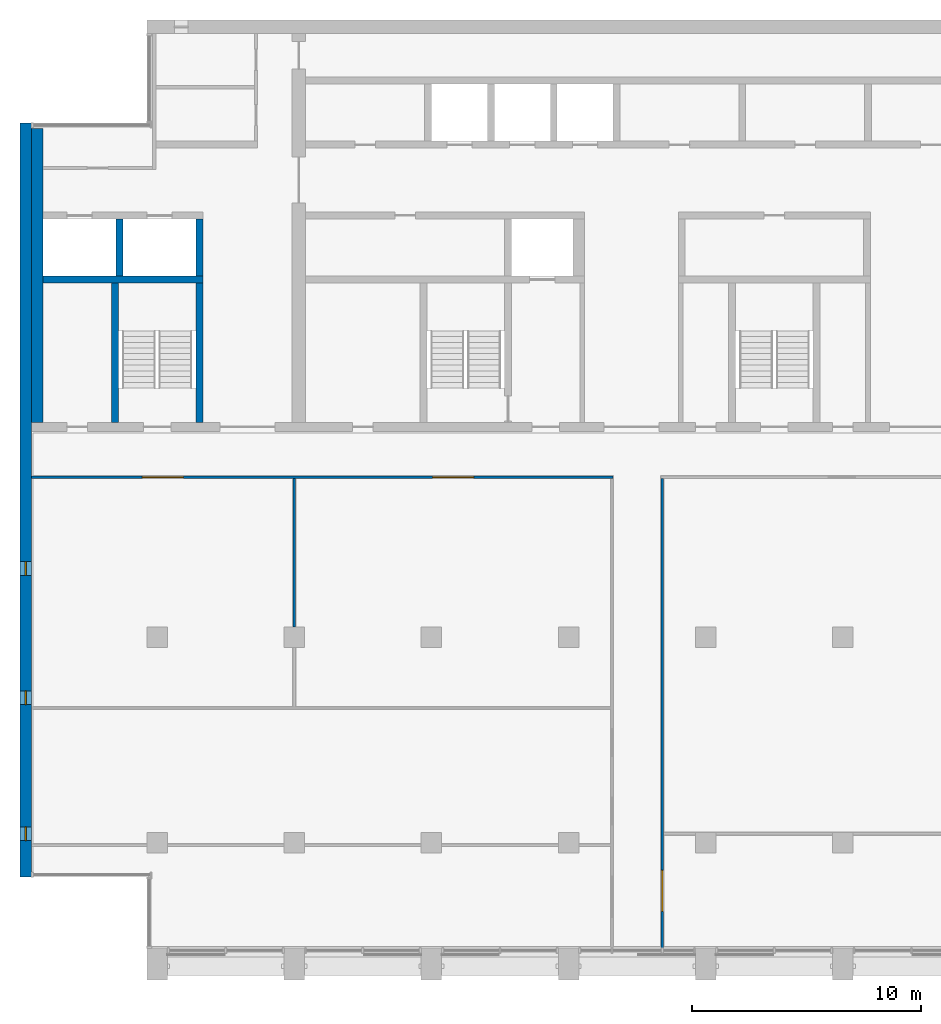
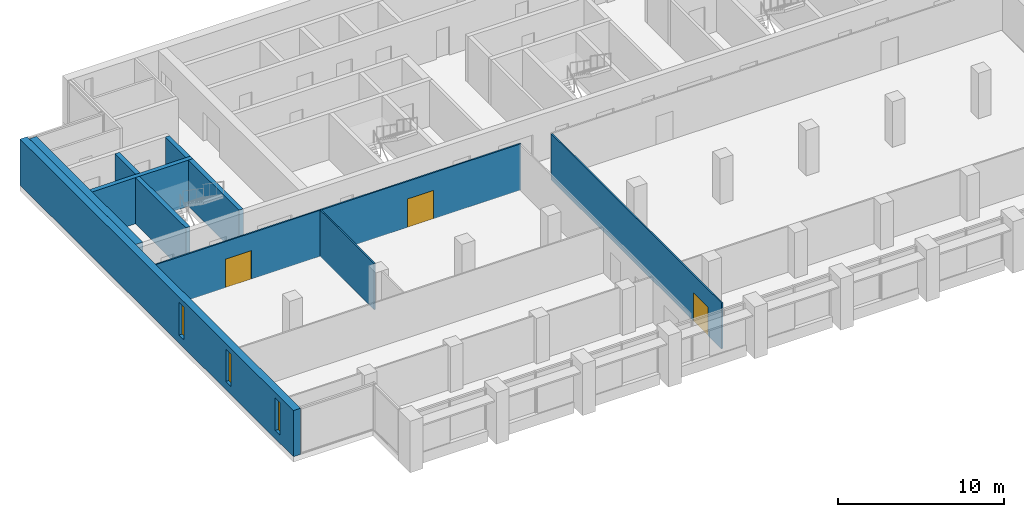
# One storey, part 7 of 14: 10 walls, 3 doors, 3 windows, 6 openings.
"""IFC4 building model written with IfcOpenShell, lengths in metres."""

from ifc_helpers import new_model, si_unit, direction, frame, frame_2d, origin, place, context, subcontext, project, spatial, rectangle, extrude, material, layer, layer_set, type_object, element, fill, save


model = new_model("IFC4")

# Units and contexts
model_context = context("Model", 3, precision=1e-05, world=origin(), true_north=direction((0.0, 1.0)))
body_context = subcontext(model_context, "Body", "Model", "MODEL_VIEW")
ifc_project = project(units=[si_unit("LENGTHUNIT", "METRE"), si_unit("AREAUNIT", "SQUARE_METRE"), si_unit("VOLUMEUNIT", "CUBIC_METRE"), si_unit("PLANEANGLEUNIT", "RADIAN"), si_unit("MASSUNIT", "GRAM", prefix="KILO")], contexts=[model_context])

# Site, building, storey
site_placement = place(None, origin())
site = spatial("IfcSite", under=ifc_project, at=site_placement, CompositionType="ELEMENT")
building_placement = place(site_placement, origin())
building = spatial("IfcBuilding", under=site, at=building_placement, Name="Calvaro Tower", CompositionType="ELEMENT")
storey_placement = place(building_placement, frame((0.0, 0.0, 239.35009765625)))
storey = spatial("IfcBuildingStorey", under=building, at=storey_placement, Name="L60", CompositionType="ELEMENT", Elevation=239.35009765625)

# Walls
ifc_material_1 = material(Name="Concrete C40/50", Category="concrete")
ifc_layer_1 = layer(ifc_material_1, 0.300048828125)
ifc_layer_set_1 = layer_set([ifc_layer_1], Name="Concrete C40/50")
wall_type_1 = type_object("IfcWallType", Name="Core wall C40/50 300", PredefinedType="SHEAR", material=ifc_layer_set_1)
for number, where, z_axis, x_axis, name in (
    (1, (10.14990234375, 28.39990234375, 0.0), (0.0, 0.0, 1.0), (0.0, 1.0, 0.0), "Core wall, stair enclosure"),
    (2, (13.85009765625, 28.39990234375, 0.0), (0.0, 0.0, 1.0), (0.0, 1.0, 0.0), "Core wall, stair enclosure"),
):
    element("IfcWall", number, at=place(storey_placement, frame(where, z_axis=z_axis, x_axis=x_axis)), inside=storey, type_object=wall_type_1, Name=name, PredefinedType="SHEAR", context=body_context, shape_type="SweptSolid", body=[
        extrude(rectangle(XDim=6.10009765625, YDim=0.300048828125, at=frame_2d((3.050048828125, 0.0))), origin(), (0.0, 0.0, 1.0), 3.39990234375),
    ])
wall_1_placement = place(storey_placement, frame((7.0, 34.64990234375, 0.0), z_axis=(0.0, 0.0, 1.0), x_axis=(1.0, 0.0, 0.0)))
element("IfcWall", 3, at=wall_1_placement, inside=storey, type_object=wall_type_1, Name="Core wall, lift shaft", PredefinedType="SHEAR", context=body_context, shape_type="SweptSolid", body=[
    extrude(rectangle(XDim=7.0, YDim=0.300048828125, at=frame_2d((3.5, 0.0))), origin(), (0.0, 0.0, 1.0), 3.39990234375),
])
for number, where, z_axis, x_axis, name in (
    (4, (13.85009765625, 34.800048828125, 0.0), (0.0, 0.0, 1.0), (0.0, 1.0, 0.0), "Core wall, lift shaft"),
    (5, (10.35009765625, 34.800048828125, 0.0), (0.0, 0.0, 1.0), (0.0, 1.0, 0.0), "Core wall, lift shaft"),
):
    element("IfcWall", number, at=place(storey_placement, frame(where, z_axis=z_axis, x_axis=x_axis)), inside=storey, type_object=wall_type_1, Name=name, PredefinedType="SHEAR", context=body_context, shape_type="SweptSolid", body=[
        extrude(rectangle(XDim=2.5, YDim=0.300048828125, at=frame_2d((1.25, 0.0))), origin(), (0.0, 0.0, 1.0), 3.39990234375),
    ])
ifc_material_2 = material(Name="Concrete C40/50", Category="concrete")
ifc_layer_2 = layer(ifc_material_2, 0.5)
ifc_layer_set_2 = layer_set([ifc_layer_2], Name="Concrete C40/50")
wall_type_2 = type_object("IfcWallType", Name="Core wall C40/50 500", PredefinedType="SHEAR", material=ifc_layer_set_2)
wall_2_placement = place(storey_placement, frame((6.75, 28.39990234375, 0.0), z_axis=(0.0, 0.0, 1.0), x_axis=(0.0, 1.0, 0.0)))
element("IfcWall", 6, at=wall_2_placement, inside=storey, type_object=wall_type_2, Name="Core wall, boundary", PredefinedType="SHEAR", context=body_context, shape_type="SweptSolid", body=[
    extrude(rectangle(XDim=12.85009765625, YDim=0.5, at=frame_2d((6.425048828125, 0.0))), origin(), (0.0, 0.0, 1.0), 3.39990234375),
])

# Wall, openings, windows
ifc_material_3 = material(Name="Concrete C40/50", Category="concrete")
ifc_layer_3 = layer(ifc_material_3, 0.5)
ifc_layer_set_3 = layer_set([ifc_layer_3], Name="Concrete C40/50")
wall_type_3 = type_object("IfcWallType", Name="End wall 500 C40/50", PredefinedType="SHEAR", material=ifc_layer_set_3)
wall_3_placement = place(storey_placement, frame((6.25, 8.5, 0.0), z_axis=(0.0, 0.0, 1.0), x_axis=(0.0, 1.0, 0.0)))
wall_3 = element("IfcWall", 7, at=wall_3_placement, inside=storey, type_object=wall_type_3, Name="End shear wall", PredefinedType="SHEAR", context=body_context, shape_type="SweptSolid", body=[
    extrude(rectangle(XDim=33.0, YDim=0.5, at=frame_2d((16.5, 0.0))), origin(), (0.0, 0.0, 1.0), 3.39990234375),
])
opening_1_placement = place(wall_3_placement, frame((1.60009765625, 0.0, 0.60009765625)))
opening_1 = element("IfcOpeningElement", 8, at=opening_1_placement, cuts=wall_3, Name="Opening WW01", PredefinedType="OPENING", context=body_context, shape_type="SweptSolid", body=[
    extrude(rectangle(XDim=0.60009765625, YDim=2.39990234375, at=frame_2d((0.300048828125, 1.199951171875))), frame((0.0, 0.260009765625, 0.0), z_axis=(0.0, -1.0, 0.0), x_axis=(1.0, 0.0, 0.0)), (0.0, 0.0, 1.0), 0.52001953125),
])
opening_2_placement = place(wall_3_placement, frame((7.550048828125, 0.0, 0.60009765625)))
opening_2 = element("IfcOpeningElement", 9, at=opening_2_placement, cuts=wall_3, Name="Opening WW02", PredefinedType="OPENING", context=body_context, shape_type="SweptSolid", body=[
    extrude(rectangle(XDim=0.60009765625, YDim=2.39990234375, at=frame_2d((0.300048828125, 1.199951171875))), frame((0.0, 0.260009765625, 0.0), z_axis=(0.0, -1.0, 0.0), x_axis=(1.0, 0.0, 0.0)), (0.0, 0.0, 1.0), 0.52001953125),
])
opening_3_placement = place(wall_3_placement, frame((13.199951171875, 0.0, 0.60009765625)))
opening_3 = element("IfcOpeningElement", 10, at=opening_3_placement, cuts=wall_3, Name="Opening WW03", PredefinedType="OPENING", context=body_context, shape_type="SweptSolid", body=[
    extrude(rectangle(XDim=0.60009765625, YDim=2.39990234375, at=frame_2d((0.300048828125, 1.199951171875))), frame((0.0, 0.260009765625, 0.0), z_axis=(0.0, -1.0, 0.0), x_axis=(1.0, 0.0, 0.0)), (0.0, 0.0, 1.0), 0.52001953125),
])
ifc_material_4 = material(Name="Glass", Category="glass")
window_type = type_object("IfcWindowType", Name="Slit window 600 x 2400", PartitioningType="SINGLE_PANEL", PredefinedType="WINDOW", material=ifc_material_4)
window_1_placement = place(opening_1_placement, origin())
window_1 = element("IfcWindow", 11, at=window_1_placement, inside=storey, type_object=window_type, Name="Window WW01", OverallHeight=2.39990234375, OverallWidth=0.60009765625, PartitioningType="SINGLE_PANEL", PredefinedType="WINDOW", context=body_context, shape_type="SweptSolid", body=[
    extrude(rectangle(XDim=0.60009765625, YDim=2.39990234375, at=frame_2d((0.300048828125, 1.199951171875))), frame((0.0, 0.030029296875, 0.0), z_axis=(0.0, -1.0, 0.0), x_axis=(1.0, 0.0, 0.0)), (0.0, 0.0, 1.0), 0.06005859375),
])
fill(opening_1, window_1)
window_2_placement = place(opening_2_placement, origin())
window_2 = element("IfcWindow", 12, at=window_2_placement, inside=storey, type_object=window_type, Name="Window WW02", OverallHeight=2.39990234375, OverallWidth=0.60009765625, PartitioningType="SINGLE_PANEL", PredefinedType="WINDOW", context=body_context, shape_type="SweptSolid", body=[
    extrude(rectangle(XDim=0.60009765625, YDim=2.39990234375, at=frame_2d((0.300048828125, 1.199951171875))), frame((0.0, 0.030029296875, 0.0), z_axis=(0.0, -1.0, 0.0), x_axis=(1.0, 0.0, 0.0)), (0.0, 0.0, 1.0), 0.06005859375),
])
fill(opening_2, window_2)
window_3_placement = place(opening_3_placement, origin())
window_3 = element("IfcWindow", 13, at=window_3_placement, inside=storey, type_object=window_type, Name="Window WW03", OverallHeight=2.39990234375, OverallWidth=0.60009765625, PartitioningType="SINGLE_PANEL", PredefinedType="WINDOW", context=body_context, shape_type="SweptSolid", body=[
    extrude(rectangle(XDim=0.60009765625, YDim=2.39990234375, at=frame_2d((0.300048828125, 1.199951171875))), frame((0.0, 0.030029296875, 0.0), z_axis=(0.0, -1.0, 0.0), x_axis=(1.0, 0.0, 0.0)), (0.0, 0.0, 1.0), 0.06005859375),
])
fill(opening_3, window_3)

# Wall, openings, doors
ifc_material_5 = material(Name="Plasterboard on steel studs", Category="steel")
ifc_layer_4 = layer(ifc_material_5, 0.10009765625)
ifc_layer_set_4 = layer_set([ifc_layer_4], Name="Plasterboard on steel studs")
wall_type_4 = type_object("IfcWallType", Name="Partition 100", PredefinedType="PARTITIONING", material=ifc_layer_set_4)
wall_4_placement = place(storey_placement, frame((6.5, 26.0, 0.0), z_axis=(0.0, 0.0, 1.0), x_axis=(1.0, 0.0, 0.0)))
wall_4 = element("IfcWall", 14, at=wall_4_placement, inside=storey, type_object=wall_type_4, Name="Partition T34.W008", PredefinedType="PARTITIONING", context=body_context, shape_type="SweptSolid", body=[
    extrude(rectangle(XDim=25.449951171875, YDim=0.10009765625, at=frame_2d((12.72509765625, 0.0))), origin(), (0.0, 0.0, 1.0), 3.39990234375),
])
opening_4_placement = place(wall_4_placement, frame((17.550048828125, 0.0, 0.0)))
opening_4 = element("IfcOpeningElement", 15, at=opening_4_placement, cuts=wall_4, Name="Opening T34.007", PredefinedType="OPENING", context=body_context, shape_type="SweptSolid", body=[
    extrude(rectangle(XDim=1.800048828125, YDim=2.10009765625, at=frame_2d((0.89990234375, 1.050048828125))), frame((0.0, 0.06005859375, 0.0), z_axis=(0.0, -1.0, 0.0), x_axis=(1.0, 0.0, 0.0)), (0.0, 0.0, 1.0), 0.1201171875),
])
opening_5_placement = place(wall_4_placement, frame((4.85009765625, 0.0, 0.0)))
opening_5 = element("IfcOpeningElement", 16, at=opening_5_placement, cuts=wall_4, Name="Opening T34.008", PredefinedType="OPENING", context=body_context, shape_type="SweptSolid", body=[
    extrude(rectangle(XDim=1.800048828125, YDim=2.10009765625, at=frame_2d((0.89990234375, 1.050048828125))), frame((0.0, 0.06005859375, 0.0), z_axis=(0.0, -1.0, 0.0), x_axis=(1.0, 0.0, 0.0)), (0.0, 0.0, 1.0), 0.1201171875),
])
ifc_material_6 = material(Name="Timber", Category="wood")
door_type = type_object("IfcDoorType", Name="Internal double door 1800 x 2100", OperationType="DOUBLE_DOOR_SINGLE_SWING", PredefinedType="DOOR", material=ifc_material_6)
door_1_placement = place(opening_4_placement, origin())
door_1 = element("IfcDoor", 17, at=door_1_placement, inside=storey, type_object=door_type, Name="Door T34.007", OperationType="DOUBLE_DOOR_SINGLE_SWING", OverallHeight=2.10009765625, OverallWidth=1.800048828125, PredefinedType="DOOR", context=body_context, shape_type="SweptSolid", body=[
    extrude(rectangle(XDim=1.800048828125, YDim=2.10009765625, at=frame_2d((0.89990234375, 1.050048828125))), frame((0.0, 0.02490234375, 0.0), z_axis=(0.0, -1.0, 0.0), x_axis=(1.0, 0.0, 0.0)), (0.0, 0.0, 1.0), 0.050048828125),
])
fill(opening_4, door_1)
door_2_placement = place(opening_5_placement, origin())
door_2 = element("IfcDoor", 18, at=door_2_placement, inside=storey, type_object=door_type, Name="Door T34.008", OperationType="DOUBLE_DOOR_SINGLE_SWING", OverallHeight=2.10009765625, OverallWidth=1.800048828125, PredefinedType="DOOR", context=body_context, shape_type="SweptSolid", body=[
    extrude(rectangle(XDim=1.800048828125, YDim=2.10009765625, at=frame_2d((0.89990234375, 1.050048828125))), frame((0.0, 0.02490234375, 0.0), z_axis=(0.0, -1.0, 0.0), x_axis=(1.0, 0.0, 0.0)), (0.0, 0.0, 1.0), 0.050048828125),
])
fill(opening_5, door_2)

# Wall
wall_5_placement = place(storey_placement, frame((18.0, 19.449951171875, 0.0), z_axis=(0.0, 0.0, 1.0), x_axis=(0.0, 1.0, 0.0)))
element("IfcWall", 19, at=wall_5_placement, inside=storey, type_object=wall_type_4, Name="Partition T34.W011", PredefinedType="PARTITIONING", context=body_context, shape_type="SweptSolid", body=[
    extrude(rectangle(XDim=6.5, YDim=0.10009765625, at=frame_2d((3.25, 0.0))), origin(), (0.0, 0.0, 1.0), 3.39990234375),
])

# Wall, opening, door
wall_6_placement = place(storey_placement, frame((34.10009765625, 5.39990234375, 0.0), z_axis=(0.0, 0.0, 1.0), x_axis=(0.0, 1.0, 0.0)))
wall_6 = element("IfcWall", 20, at=wall_6_placement, inside=storey, type_object=wall_type_4, Name="Partition T34.W013", PredefinedType="PARTITIONING", context=body_context, shape_type="SweptSolid", body=[
    extrude(rectangle(XDim=20.550048828125, YDim=0.10009765625, at=frame_2d((10.27490234375, 0.0))), origin(), (0.0, 0.0, 1.0), 3.39990234375),
])
opening_6_placement = place(wall_6_placement, frame((1.60009765625, 0.0, 0.0)))
opening_6 = element("IfcOpeningElement", 21, at=opening_6_placement, cuts=wall_6, Name="Opening T34.002", PredefinedType="OPENING", context=body_context, shape_type="SweptSolid", body=[
    extrude(rectangle(XDim=1.800048828125, YDim=2.10009765625, at=frame_2d((0.89990234375, 1.050048828125))), frame((0.0, 0.06005859375, 0.0), z_axis=(0.0, -1.0, 0.0), x_axis=(1.0, 0.0, 0.0)), (0.0, 0.0, 1.0), 0.1201171875),
])
door_3_placement = place(opening_6_placement, origin())
door_3 = element("IfcDoor", 22, at=door_3_placement, inside=storey, type_object=door_type, Name="Door T34.002", OperationType="DOUBLE_DOOR_SINGLE_SWING", OverallHeight=2.10009765625, OverallWidth=1.800048828125, PredefinedType="DOOR", context=body_context, shape_type="SweptSolid", body=[
    extrude(rectangle(XDim=1.800048828125, YDim=2.10009765625, at=frame_2d((0.89990234375, 1.050048828125))), frame((0.0, 0.02490234375, 0.0), z_axis=(0.0, -1.0, 0.0), x_axis=(1.0, 0.0, 0.0)), (0.0, 0.0, 1.0), 0.050048828125),
])
fill(opening_6, door_3)

save(model, "model.ifc")
